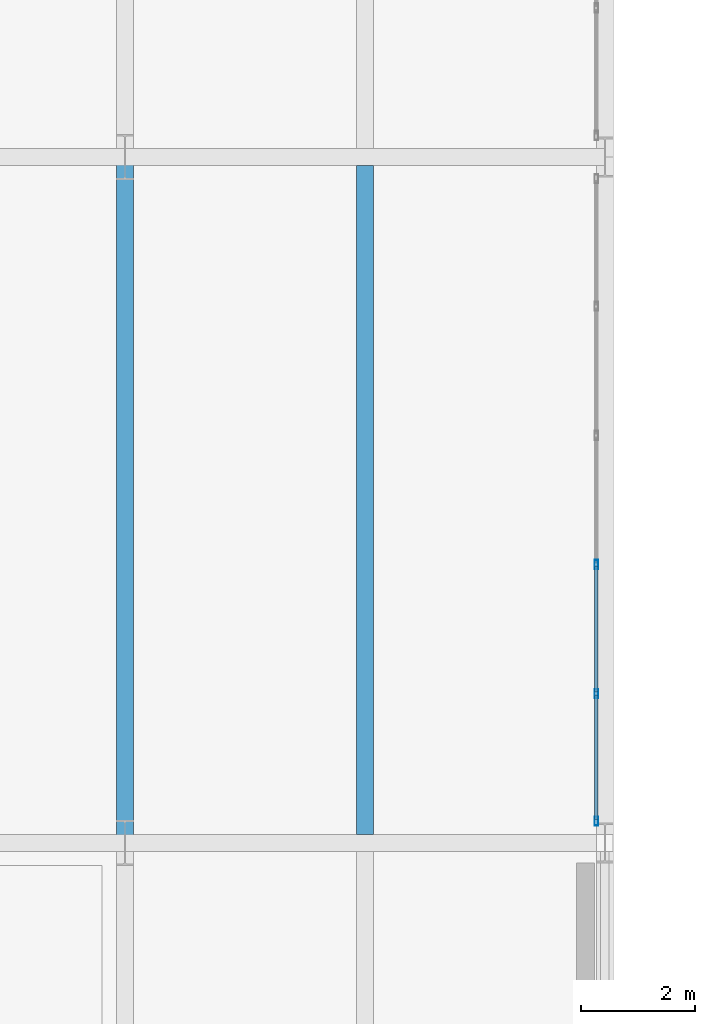
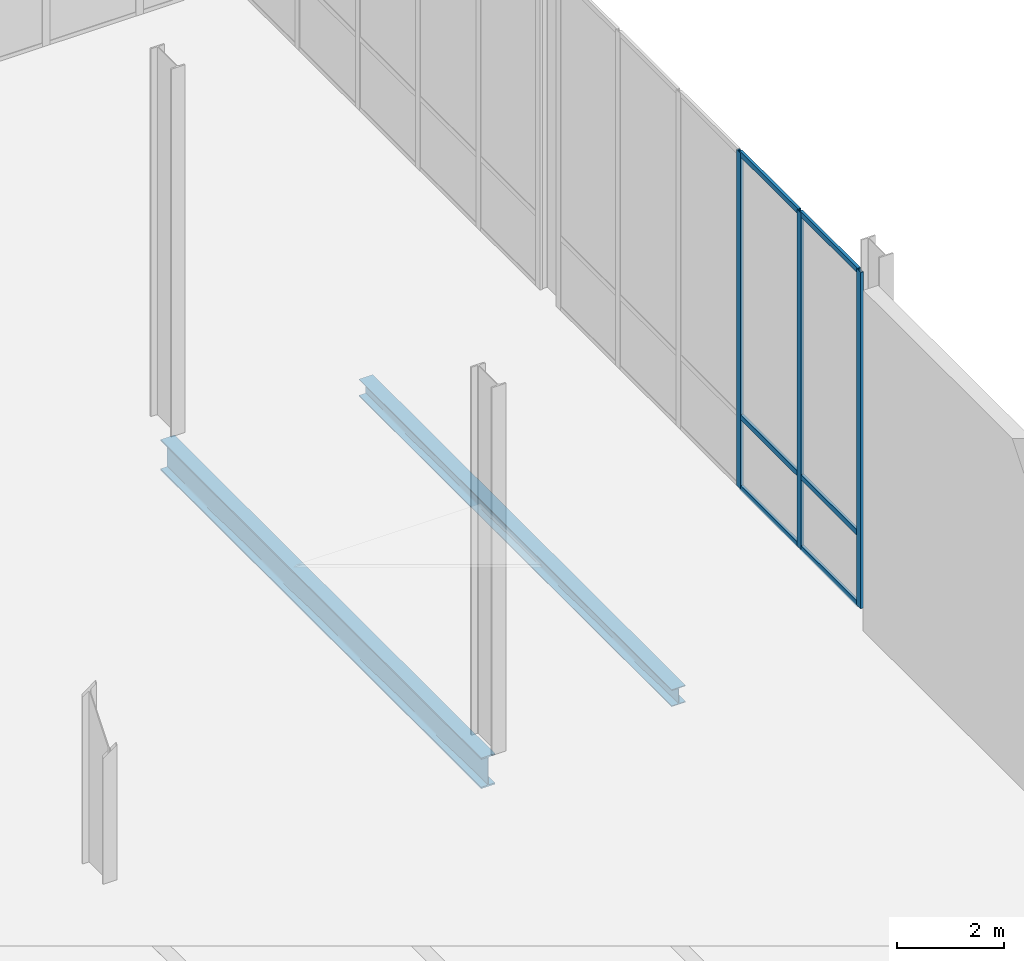
# One storey, part 37 of 131: 9 members, 2 beams, 1 element without a shape of its own.
"""IFC4 building model written with IfcOpenShell, lengths in metres."""

import ifcopenshell
import ifcopenshell.guid

model = None  # the IFC model being written
_history = None  # IfcOwnerHistory: only IFC2X3 demands one
_inside = {}  # id of a spatial element -> (the spatial element, [elements in it])
_under = {}  # id of a project, library or spatial element -> (it, [spatial elements below it])
_declared = {}  # id of a project -> (the project, [libraries it declares])
_typed = {}  # id of a type object -> (the type object, [elements of that type])
_made_of = {}  # id of a material, layer set ... -> (it, [elements and type objects made of it])


def new_model(schema):
    """Start an empty IFC model of exactly this schema.

    Asked for "IFC4X3", IfcOpenShell would pick the latest addendum, in which some entities
    have other attributes; the version numbers below select the first issue.
    IFC2X3 requires an IfcOwnerHistory on every rooted entity: one is made here for all.
    """
    global model, _history
    if schema == "IFC4X3":
        model = ifcopenshell.file(schema_version=(4, 3, 0, 0))
    else:
        model = ifcopenshell.file(schema=schema)
    _inside.clear()
    _under.clear()
    _declared.clear()
    _typed.clear()
    _made_of.clear()
    _history = None
    if model.schema == "IFC2X3":
        org = make("IfcOrganization", Name="unknown")
        user = make(
            "IfcPersonAndOrganization",
            ThePerson=make("IfcPerson", FamilyName="unknown"),
            TheOrganization=org,
        )
        app = make(
            "IfcApplication",
            ApplicationDeveloper=org,
            Version="unknown",
            ApplicationFullName="unknown",
            ApplicationIdentifier="unknown",
        )
        _history = make(
            "IfcOwnerHistory",
            OwningUser=user,
            OwningApplication=app,
            ChangeAction="ADDED",
            CreationDate=0,
        )
    return model


def make(cls, **values):
    """One entity of the class cls with the attributes given. An attribute that is None is left unset."""
    return model.create_entity(
        cls, **{name: value for name, value in values.items() if value is not None}
    )


def rooted(cls, **values):
    """An entity with a GlobalId (a new one), such as an element, a storey or a relation."""
    return make(cls, GlobalId=ifcopenshell.guid.new(), OwnerHistory=_history, **values)


def si_unit(unit_type, name, prefix=None):
    """IfcSIUnit, for example si_unit("LENGTHUNIT", "METRE", prefix="MILLI")."""
    return make("IfcSIUnit", UnitType=unit_type, Prefix=prefix, Name=name)


def assignment(units):
    """IfcUnitAssignment: the units of a project."""
    return None if units is None else make("IfcUnitAssignment", Units=units)


def point(xyz):
    """IfcCartesianPoint."""
    return None if xyz is None else make("IfcCartesianPoint", Coordinates=xyz)


def direction(xyz):
    """IfcDirection."""
    return None if xyz is None else make("IfcDirection", DirectionRatios=xyz)


def frame(location, z_axis=None, x_axis=None):
    """IfcAxis2Placement3D, a coordinate frame: its origin and axes. An axis left out is left unset."""
    return make(
        "IfcAxis2Placement3D",
        Location=point(location),
        Axis=direction(z_axis),
        RefDirection=direction(x_axis),
    )


def frame_2d(location, x_axis=None):
    """IfcAxis2Placement2D, a coordinate frame in the plane: its origin and x axis."""
    return make(
        "IfcAxis2Placement2D", Location=point(location), RefDirection=direction(x_axis)
    )


def origin():
    """The frame at (0, 0, 0) with its axes left unset."""
    return frame((0.0, 0.0, 0.0))


def origin_2d():
    """The frame at (0, 0) in the plane with its x axis left unset."""
    return frame_2d((0.0, 0.0))


def place(relative_to, where):
    """IfcLocalPlacement: puts the frame where relative to a parent placement (None: the world)."""
    return make(
        "IfcLocalPlacement", PlacementRelTo=relative_to, RelativePlacement=where
    )


def context(
    kind, dimensions, precision=None, world=None, true_north=None, identifier=None
):
    """IfcGeometricRepresentationContext, for example the 3D "Model" context."""
    return make(
        "IfcGeometricRepresentationContext",
        ContextIdentifier=identifier,
        ContextType=kind,
        CoordinateSpaceDimension=dimensions,
        Precision=precision,
        WorldCoordinateSystem=world,
        TrueNorth=true_north,
    )


def subcontext(parent, identifier, kind, view, scale=None):
    """IfcGeometricRepresentationSubContext, for example "Body" below "Model"."""
    return make(
        "IfcGeometricRepresentationSubContext",
        ContextIdentifier=identifier,
        ContextType=kind,
        ParentContext=parent,
        TargetScale=scale,
        TargetView=view,
    )


def project(units=None, contexts=None):
    """IfcProject with its units and contexts."""
    return rooted(
        "IfcProject",
        Name="project",
        RepresentationContexts=contexts,
        UnitsInContext=assignment(units),
    )


def spatial(cls, under=None, at=None, **own):
    """A site, building, storey or space (cls), placed at a placement, below another one or the project."""
    s = rooted(cls, ObjectPlacement=at, **own)
    if under is not None:
        _under.setdefault(under.id(), (under, []))[1].append(s)
    return s


def profile(cls, at=None, kind="AREA", **sizes):
    """A parametric profile (cls). Its sizes go by their IFC names, for example OverallWidth=200.0."""
    return make(cls, ProfileType=kind, Position=at, **sizes)


def hollow_rectangle(**sizes):
    """IfcRectangleHollowProfileDef."""
    return profile("IfcRectangleHollowProfileDef", **sizes)


def i_section(**sizes):
    """IfcIShapeProfileDef."""
    return profile("IfcIShapeProfileDef", **sizes)


def extrude(swept, where, along, depth):
    """IfcExtrudedAreaSolid: the profile swept, set in the frame where, extruded along a direction by depth."""
    return make(
        "IfcExtrudedAreaSolid",
        SweptArea=swept,
        Position=where,
        ExtrudedDirection=direction(along),
        Depth=depth,
    )


def shape(context_of_items, identifier, shape_type, items):
    """IfcShapeRepresentation: the items that make up one representation, for example the "Body"."""
    return make(
        "IfcShapeRepresentation",
        ContextOfItems=context_of_items,
        RepresentationIdentifier=identifier,
        RepresentationType=shape_type,
        Items=items,
    )


def material(Name=None, Category=None):
    """IfcMaterial."""
    return make("IfcMaterial", Name=Name, Category=Category)


def material_profile(
    of_material, cross_section, Name=None, Category=None, Priority=None
):
    """IfcMaterialProfile: a cross section and its material."""
    return make(
        "IfcMaterialProfile",
        Name=Name,
        Material=of_material,
        Profile=cross_section,
        Priority=Priority,
        Category=Category,
    )


def profile_set(profiles, Name=None, composite=None):
    """IfcMaterialProfileSet."""
    return make(
        "IfcMaterialProfileSet",
        Name=Name,
        MaterialProfiles=profiles,
        CompositeProfile=composite,
    )


def made_of(thing, what):
    """Note that an element or type object is made of a material, layer set ...; save() writes the relation."""
    if what is not None:
        _made_of.setdefault(what.id(), (what, []))[1].append(thing)
    return thing


def type_object(cls, material=None, **own):
    """A type object (cls), such as IfcWallType, which elements share."""
    return made_of(rooted(cls, **own), material)


def element(
    cls,
    number,
    at=None,
    inside=None,
    cuts=None,
    type_object=None,
    material=None,
    context=None,
    identifier="Body",
    shape_type=None,
    held_by="IfcProductDefinitionShape",
    body=None,
    shapes=None,
    **own,
):
    """One element of the class cls, such as IfcWall. Its Tag is "e" and its number.

    at: its placement. inside: the storey or other place that contains it. cuts: it is an
    opening in that element (IfcRelVoidsElement). A single representation is given by context,
    identifier, shape_type and body (its items); several are given by shapes. held_by: the class
    of the entity that holds the representations. save() writes the other relations.
    """
    e = rooted(cls, Tag="e%d" % number, ObjectPlacement=at, **own)
    if body is not None:
        shapes = [shape(context, identifier, shape_type, body)]
    if shapes is not None:
        e.Representation = make(held_by, Representations=shapes)
    if inside is not None:
        _inside.setdefault(inside.id(), (inside, []))[1].append(e)
    if cuts is not None:
        rooted(
            "IfcRelVoidsElement", RelatingBuildingElement=cuts, RelatedOpeningElement=e
        )
    if type_object is not None:
        _typed.setdefault(type_object.id(), (type_object, []))[1].append(e)
    return made_of(e, material)


def aggregate(whole, parts):
    """IfcRelAggregates: a whole, such as a stair, and the parts it consists of."""
    return rooted("IfcRelAggregates", RelatingObject=whole, RelatedObjects=parts)


def save(model, path):
    """Write the relations noted so far, then the file.

    IfcRelAggregates (storeys below a building ...), IfcRelContainedInSpatialStructure (elements
    in a storey), IfcRelDefinesByType, IfcRelAssociatesMaterial and IfcRelDeclares: one each for
    every whole, place, type object, material and project.
    """
    for whole, parts in _under.values():
        aggregate(whole, parts)
    for where, things in _inside.values():
        rooted(
            "IfcRelContainedInSpatialStructure",
            RelatedElements=things,
            RelatingStructure=where,
        )
    for kind, things in _typed.values():
        rooted("IfcRelDefinesByType", RelatedObjects=things, RelatingType=kind)
    for what, things in _made_of.values():
        rooted("IfcRelAssociatesMaterial", RelatedObjects=things, RelatingMaterial=what)
    for by, libraries in _declared.values():
        rooted("IfcRelDeclares", RelatingContext=by, RelatedDefinitions=libraries)
    model.write(path)


model = new_model("IFC4")

# Units and contexts
model_context = context("Model", 3, precision=1e-05, world=origin(), true_north=direction((0.0, 1.0)))
body_context = subcontext(model_context, "Body", "Model", "MODEL_VIEW")
ifc_project = project(units=[si_unit("LENGTHUNIT", "METRE"), si_unit("AREAUNIT", "SQUARE_METRE"), si_unit("VOLUMEUNIT", "CUBIC_METRE"), si_unit("PLANEANGLEUNIT", "RADIAN"), si_unit("MASSUNIT", "GRAM", prefix="KILO")], contexts=[model_context])

# Site, building, storey
site_placement = place(None, origin())
site = spatial("IfcSite", under=ifc_project, at=site_placement, CompositionType="ELEMENT")
building_placement = place(site_placement, origin())
building = spatial("IfcBuilding", under=site, at=building_placement, Name="Veltarok Museum of Natural Sciences", CompositionType="ELEMENT")
storey_placement = place(building_placement, origin())
storey = spatial("IfcBuildingStorey", under=building, at=storey_placement, Name="L00", CompositionType="ELEMENT", Elevation=0.0)

# Curtain wall, members
ifc_material_1 = material(Name="Low-iron triple insulated glass", Category="glass")
curtain_wall_type = type_object("IfcCurtainWallType", Name="Curtain Wall System CW-V2E-L00-2-1130x768 (CW-V2E L00 1130x768cm)", PredefinedType="NOTDEFINED", material=ifc_material_1)
curtain_wall_placement = place(storey_placement, origin())
curtain_wall = element("IfcCurtainWall", 1, at=curtain_wall_placement, inside=storey, type_object=curtain_wall_type, Name="Curtain Wall CW-V2E-L00-2-1130x768 CW-0126", PredefinedType="NOTDEFINED")
ifc_material_2 = material(Name="Thermally broken anodised aluminium", Category="aluminium")
ifc_material_profile_1 = material_profile(ifc_material_2, hollow_rectangle(XDim=0.06005859375, YDim=0.1201171875, WallThickness=0.0048828125, at=origin_2d()), Name="CW TRANSOM 60x120x5")
ifc_profile_set_1 = profile_set([ifc_material_profile_1], Name="Thermally broken anodised aluminium")
member_type_1 = type_object("IfcMemberType", Name="Curtain Wall Horizontal Transom 60x120x5", PredefinedType="USERDEFINED", material=ifc_profile_set_1)
member_1_placement = place(storey_placement, frame((98.64990234375, 48.409912109375, 0.028076171875), z_axis=(0.0, 1.0, 0.0), x_axis=(-1.0, 0.0, 0.0)))
member_1 = element("IfcMember", 2, at=member_1_placement, type_object=member_type_1, Name="CW-V2E-L00-2-1130x768 transom 1.1", ObjectType="TRANSOM", PredefinedType="USERDEFINED", context=body_context, shape_type="SweptSolid", body=[
    extrude(hollow_rectangle(XDim=0.06005859375, YDim=0.1201171875, WallThickness=0.0048828125, at=origin_2d()), origin(), (0.0, 0.0, 1.0), 2.170166015625),
])
member_2_placement = place(storey_placement, frame((98.64990234375, 48.409912109375, 1.64794921875), z_axis=(0.0, 1.0, 0.0), x_axis=(-1.0, 0.0, 0.0)))
member_2 = element("IfcMember", 3, at=member_2_placement, type_object=member_type_1, Name="CW-V2E-L00-2-1130x768 transom 1.2", ObjectType="TRANSOM", PredefinedType="USERDEFINED", context=body_context, shape_type="SweptSolid", body=[
    extrude(hollow_rectangle(XDim=0.06005859375, YDim=0.1201171875, WallThickness=0.0048828125, at=origin_2d()), origin(), (0.0, 0.0, 1.0), 2.170166015625),
])
member_3_placement = place(storey_placement, frame((98.64990234375, 48.409912109375, 7.64990234375), z_axis=(0.0, 1.0, 0.0), x_axis=(-1.0, 0.0, 0.0)))
member_3 = element("IfcMember", 4, at=member_3_placement, type_object=member_type_1, Name="CW-V2E-L00-2-1130x768 transom 1.3", ObjectType="TRANSOM", PredefinedType="USERDEFINED", context=body_context, shape_type="SweptSolid", body=[
    extrude(hollow_rectangle(XDim=0.06005859375, YDim=0.1201171875, WallThickness=0.0048828125, at=origin_2d()), origin(), (0.0, 0.0, 1.0), 2.170166015625),
])
member_4_placement = place(storey_placement, frame((98.64990234375, 50.639892578125, 0.028076171875), z_axis=(0.0, 1.0, 0.0), x_axis=(-1.0, 0.0, 0.0)))
member_4 = element("IfcMember", 5, at=member_4_placement, type_object=member_type_1, Name="CW-V2E-L00-2-1130x768 transom 2.1", ObjectType="TRANSOM", PredefinedType="USERDEFINED", context=body_context, shape_type="SweptSolid", body=[
    extrude(hollow_rectangle(XDim=0.06005859375, YDim=0.1201171875, WallThickness=0.0048828125, at=origin_2d()), origin(), (0.0, 0.0, 1.0), 2.2001953125),
])
member_5_placement = place(storey_placement, frame((98.64990234375, 50.639892578125, 1.64794921875), z_axis=(0.0, 1.0, 0.0), x_axis=(-1.0, 0.0, 0.0)))
member_5 = element("IfcMember", 6, at=member_5_placement, type_object=member_type_1, Name="CW-V2E-L00-2-1130x768 transom 2.2", ObjectType="TRANSOM", PredefinedType="USERDEFINED", context=body_context, shape_type="SweptSolid", body=[
    extrude(hollow_rectangle(XDim=0.06005859375, YDim=0.1201171875, WallThickness=0.0048828125, at=origin_2d()), origin(), (0.0, 0.0, 1.0), 2.2001953125),
])
member_6_placement = place(storey_placement, frame((98.64990234375, 50.639892578125, 7.64990234375), z_axis=(0.0, 1.0, 0.0), x_axis=(-1.0, 0.0, 0.0)))
member_6 = element("IfcMember", 7, at=member_6_placement, type_object=member_type_1, Name="CW-V2E-L00-2-1130x768 transom 2.3", ObjectType="TRANSOM", PredefinedType="USERDEFINED", context=body_context, shape_type="SweptSolid", body=[
    extrude(hollow_rectangle(XDim=0.06005859375, YDim=0.1201171875, WallThickness=0.0048828125, at=origin_2d()), origin(), (0.0, 0.0, 1.0), 2.2001953125),
])
ifc_material_profile_2 = material_profile(ifc_material_2, hollow_rectangle(XDim=0.06005859375, YDim=0.159912109375, WallThickness=0.0048828125, at=origin_2d()), Name="CW MULLION 60x160x5")
ifc_profile_set_2 = profile_set([ifc_material_profile_2], Name="Thermally broken anodised aluminium")
member_type_2 = type_object("IfcMemberType", Name="Curtain Wall Vertical Mullion 60x160x5", PredefinedType="MULLION", material=ifc_profile_set_2)
member_7_placement = place(storey_placement, frame((98.64990234375, 48.3798828125, -0.001953125), z_axis=(0.0, 0.0, 1.0), x_axis=(-1.0, 0.0, 0.0)))
member_7 = element("IfcMember", 8, at=member_7_placement, type_object=member_type_2, Name="CW-V2E-L00-2-1130x768 mullion 1", PredefinedType="MULLION", context=body_context, shape_type="SweptSolid", body=[
    extrude(hollow_rectangle(XDim=0.06005859375, YDim=0.159912109375, WallThickness=0.0048828125, at=origin_2d()), origin(), (0.0, 0.0, 1.0), 7.681884765625),
])
member_8_placement = place(storey_placement, frame((98.64990234375, 50.610107421875, -0.001953125), z_axis=(0.0, 0.0, 1.0), x_axis=(-1.0, 0.0, 0.0)))
member_8 = element("IfcMember", 9, at=member_8_placement, type_object=member_type_2, Name="CW-V2E-L00-2-1130x768 mullion 2", PredefinedType="MULLION", context=body_context, shape_type="SweptSolid", body=[
    extrude(hollow_rectangle(XDim=0.06005859375, YDim=0.159912109375, WallThickness=0.0048828125, at=origin_2d()), origin(), (0.0, 0.0, 1.0), 7.681884765625),
])
member_9_placement = place(storey_placement, frame((98.64990234375, 52.8701171875, -0.001953125), z_axis=(0.0, 0.0, 1.0), x_axis=(-1.0, 0.0, 0.0)))
member_9 = element("IfcMember", 10, at=member_9_placement, type_object=member_type_2, Name="CW-V2E-L00-2-1130x768 mullion 3", PredefinedType="MULLION", context=body_context, shape_type="SweptSolid", body=[
    extrude(hollow_rectangle(XDim=0.06005859375, YDim=0.159912109375, WallThickness=0.0048828125, at=origin_2d()), origin(), (0.0, 0.0, 1.0), 7.681884765625),
])
aggregate(curtain_wall, [member_7, member_8, member_9, member_1, member_2, member_3, member_4, member_5, member_6])

# Beams
ifc_material_3 = material(Name="Steel S355J2", Category="steel")
ifc_material_profile_3 = material_profile(ifc_material_3, i_section(OverallWidth=0.300048828125, OverallDepth=0.389892578125, WebThickness=0.010986328125, FlangeThickness=0.01904296875, FilletRadius=0.027099609375, at=origin_2d()), Name="HEA 400")
ifc_profile_set_3 = profile_set([ifc_material_profile_3], Name="Steel S355J2")
beam_type_1 = type_object("IfcBeamType", Name="Heavy Archive Joist HEA 400", PredefinedType="JOIST", material=ifc_profile_set_3)
beam_1_placement = place(storey_placement, frame((94.60009765625, 48.14794921875, -0.4951171875), z_axis=(0.0, 1.0, 0.0), x_axis=(-1.0, 0.0, 0.0)))
element("IfcBeam", 11, at=beam_1_placement, inside=storey, type_object=beam_type_1, Name="Secondary Joist BM-J06 L00 11-12/F-G.1", PredefinedType="JOIST", context=body_context, shape_type="SweptSolid", body=[
    extrude(i_section(OverallWidth=0.300048828125, OverallDepth=0.389892578125, WebThickness=0.010986328125, FlangeThickness=0.01904296875, FilletRadius=0.027099609375, at=origin_2d()), origin(), (0.0, 0.0, 1.0), 11.7041015625),
])
ifc_material_profile_4 = material_profile(ifc_material_3, i_section(OverallWidth=0.300048828125, OverallDepth=0.699951171875, WebThickness=0.01708984375, FlangeThickness=0.031982421875, FilletRadius=0.027099609375, at=origin_2d()), Name="HEB 700")
ifc_profile_set_4 = profile_set([ifc_material_profile_4], Name="Steel S355J2")
beam_type_2 = type_object("IfcBeamType", Name="Long-Span Hall Girder HEB 700", PredefinedType="BEAM", material=ifc_profile_set_4)
beam_2_placement = place(storey_placement, frame((90.39990234375, 48.0, -0.64990234375), z_axis=(0.0, 1.0, 0.0), x_axis=(-1.0, 0.0, 0.0)))
element("IfcBeam", 12, at=beam_2_placement, inside=storey, type_object=beam_type_2, Name="Beam BM-G01 L00 11/F-G", PredefinedType="BEAM", context=body_context, shape_type="SweptSolid", body=[
    extrude(i_section(OverallWidth=0.300048828125, OverallDepth=0.699951171875, WebThickness=0.01708984375, FlangeThickness=0.031982421875, FilletRadius=0.027099609375, at=origin_2d()), origin(), (0.0, 0.0, 1.0), 12.0),
])

save(model, "model.ifc")
